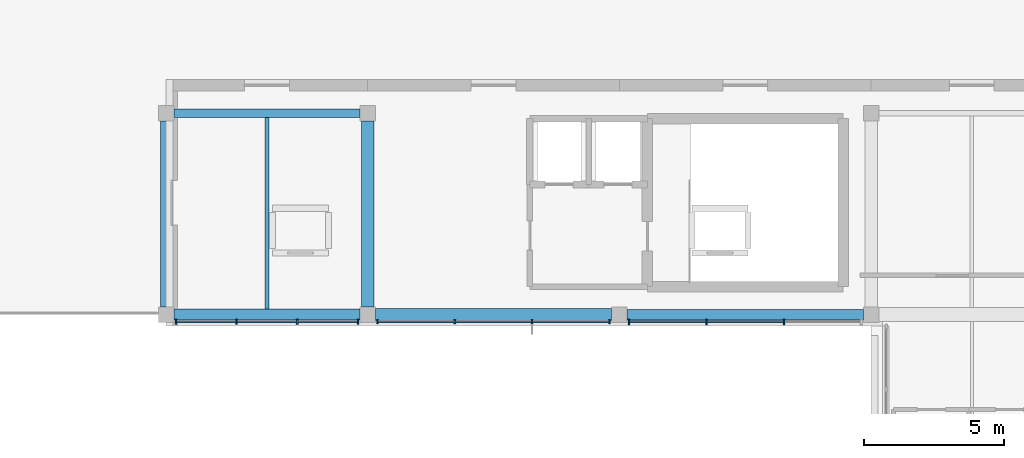
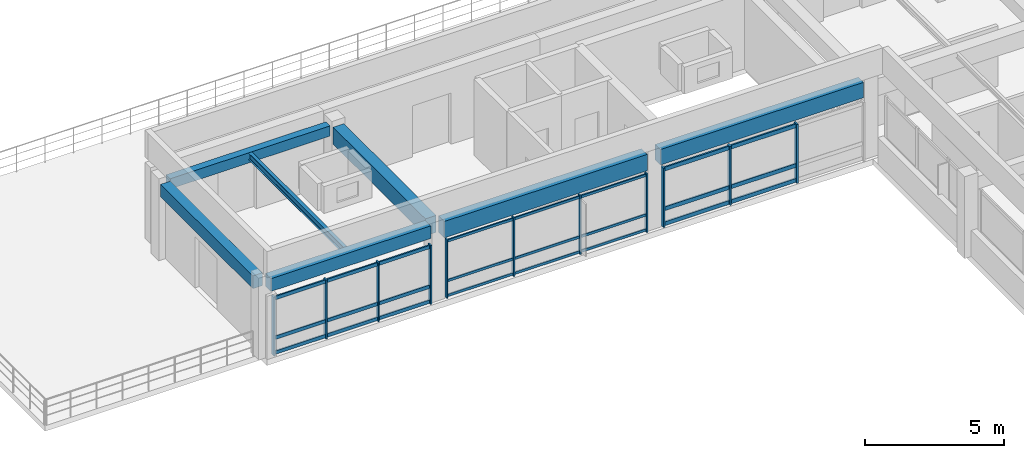
# One storey, part 2 of 10: 35 members, 7 beams, 3 elements without a shape of their own.
"""IFC4 building model written with IfcOpenShell, lengths in metres."""

from ifc_helpers import new_model, si_unit, direction, frame, origin, origin_2d, place, context, subcontext, project, spatial, rectangle, i_section, extrude, material, material_profile, profile_set, type_object, element, aggregate, save


model = new_model("IFC4")

# Units and contexts
model_context = context("Model", 3, precision=1e-05, world=origin(), true_north=direction((0.0, 1.0)))
body_context = subcontext(model_context, "Body", "Model", "MODEL_VIEW")
ifc_project = project(units=[si_unit("LENGTHUNIT", "METRE"), si_unit("AREAUNIT", "SQUARE_METRE"), si_unit("VOLUMEUNIT", "CUBIC_METRE"), si_unit("PLANEANGLEUNIT", "RADIAN"), si_unit("MASSUNIT", "GRAM", prefix="KILO")], contexts=[model_context])

# Site, building, storey
site_placement = place(None, origin())
site = spatial("IfcSite", under=ifc_project, at=site_placement, CompositionType="ELEMENT")
building_placement = place(site_placement, origin())
building = spatial("IfcBuilding", under=site, at=building_placement, Name="Clarverna Civic Hall", CompositionType="ELEMENT")
storey_placement = place(building_placement, frame((0.0, 0.0, 27.60009765625)))
storey = spatial("IfcBuildingStorey", under=building, at=storey_placement, Name="L07", CompositionType="ELEMENT", Elevation=27.60009765625)

# Beams
ifc_material_1 = material(Name="Concrete C35/45", Category="concrete")
ifc_material_profile_1 = material_profile(ifc_material_1, rectangle(XDim=0.300048828125, YDim=0.449951171875, at=origin_2d()), Name="RC 300x450")
ifc_profile_set_1 = profile_set([ifc_material_profile_1], Name="Concrete C35/45")
beam_type_1 = type_object("IfcBeamType", Name="B-RC18", PredefinedType="BEAM", material=ifc_profile_set_1)
beam_1_placement = place(storey_placement, frame((122.675048828125, 102.199951171875, 3.114990234375), z_axis=(1.0, 0.0, 0.0), x_axis=(0.0, 1.0, 0.0)))
element("IfcBeam", 1, at=beam_1_placement, inside=storey, type_object=beam_type_1, Name="B-RC18-045", PredefinedType="BEAM", context=body_context, shape_type="SweptSolid", body=[
    extrude(rectangle(XDim=0.300048828125, YDim=0.449951171875, at=origin_2d()), origin(), (0.0, 0.0, 1.0), 6.64990234375),
])
ifc_material_profile_2 = material_profile(ifc_material_1, rectangle(XDim=0.449951171875, YDim=0.75, at=origin_2d()), Name="RC 450x750")
ifc_profile_set_2 = profile_set([ifc_material_profile_2], Name="Concrete C35/45")
beam_type_2 = type_object("IfcBeamType", Name="B-RC3", PredefinedType="BEAM", material=ifc_profile_set_2)
beam_2_placement = place(storey_placement, frame((129.60009765625, 95.27490234375, 2.96484375), z_axis=(0.0, 1.0, 0.0), x_axis=(-1.0, 0.0, 0.0)))
element("IfcBeam", 2, at=beam_2_placement, inside=storey, type_object=beam_type_2, Name="B-RC3-042", PredefinedType="BEAM", context=body_context, shape_type="SweptSolid", body=[
    extrude(rectangle(XDim=0.449951171875, YDim=0.75, at=origin_2d()), origin(), (0.0, 0.0, 1.0), 6.650146484375),
])
ifc_material_profile_3 = material_profile(ifc_material_1, rectangle(XDim=0.419921875, YDim=0.719970703125, at=origin_2d()), Name="RC 420x720")
ifc_profile_set_3 = profile_set([ifc_material_profile_3], Name="Concrete C35/45")
beam_type_3 = type_object("IfcBeamType", Name="B-SP1", PredefinedType="SPANDREL", material=ifc_profile_set_3)
beam_3_placement = place(storey_placement, frame((129.875, 95.0, 2.97998046875), z_axis=(1.0, 0.0, 0.0), x_axis=(0.0, 1.0, 0.0)))
element("IfcBeam", 3, at=beam_3_placement, inside=storey, type_object=beam_type_3, Name="B-SP1-156", PredefinedType="SPANDREL", context=body_context, shape_type="SweptSolid", body=[
    extrude(rectangle(XDim=0.419921875, YDim=0.719970703125, at=origin_2d()), origin(), (0.0, 0.0, 1.0), 8.449951171875),
])
ifc_material_profile_4 = material_profile(ifc_material_1, rectangle(XDim=0.3798828125, YDim=0.679931640625, at=origin_2d()), Name="RC 380x680")
ifc_profile_set_4 = profile_set([ifc_material_profile_4], Name="Concrete C35/45")
beam_type_4 = type_object("IfcBeamType", Name="B-SP2", PredefinedType="SPANDREL", material=ifc_profile_set_4)
beam_4_placement = place(storey_placement, frame((138.875, 95.0, 3.0), z_axis=(1.0, 0.0, 0.0), x_axis=(0.0, 1.0, 0.0)))
element("IfcBeam", 4, at=beam_4_placement, inside=storey, type_object=beam_type_4, Name="B-SP2-162", PredefinedType="SPANDREL", context=body_context, shape_type="SweptSolid", body=[
    extrude(rectangle(XDim=0.3798828125, YDim=0.679931640625, at=origin_2d()), origin(), (0.0, 0.0, 1.0), 8.449951171875),
])
ifc_material_profile_5 = material_profile(ifc_material_1, rectangle(XDim=0.39990234375, YDim=0.56005859375, at=origin_2d()), Name="RC 400x560")
ifc_profile_set_5 = profile_set([ifc_material_profile_5], Name="Concrete C35/45")
beam_type_5 = type_object("IfcBeamType", Name="B-SP4", PredefinedType="SPANDREL", material=ifc_profile_set_5)
beam_5_placement = place(storey_placement, frame((122.675048828125, 95.0, 3.059814453125), z_axis=(1.0, 0.0, 0.0), x_axis=(0.0, 1.0, 0.0)))
element("IfcBeam", 5, at=beam_5_placement, inside=storey, type_object=beam_type_5, Name="B-SP4-159", PredefinedType="SPANDREL", context=body_context, shape_type="SweptSolid", body=[
    extrude(rectangle(XDim=0.39990234375, YDim=0.56005859375, at=origin_2d()), origin(), (0.0, 0.0, 1.0), 6.64990234375),
])
beam_6_placement = place(storey_placement, frame((122.39990234375, 95.27490234375, 3.059814453125), z_axis=(0.0, 1.0, 0.0), x_axis=(-1.0, 0.0, 0.0)))
element("IfcBeam", 6, at=beam_6_placement, inside=storey, type_object=beam_type_5, Name="B-SP4-160", PredefinedType="SPANDREL", context=body_context, shape_type="SweptSolid", body=[
    extrude(rectangle(XDim=0.39990234375, YDim=0.56005859375, at=origin_2d()), origin(), (0.0, 0.0, 1.0), 6.650146484375),
])

# Curtain wall, members
ifc_material_2 = material(Name="Anodised Bronze Architectural Aluminium", Category="aluminium")
curtain_wall_type = type_object("IfcCurtainWallType", Name="CW-01", PredefinedType="USERDEFINED", material=ifc_material_2)
curtain_wall_1_placement = place(storey_placement, origin())
curtain_wall_1 = element("IfcCurtainWall", 7, at=curtain_wall_1_placement, inside=storey, type_object=curtain_wall_type, Name="CW-01-135", ObjectType="UNITISED CURTAIN WALL", PredefinedType="USERDEFINED")
ifc_material_profile_6 = material_profile(ifc_material_2, rectangle(XDim=0.06005859375, YDim=0.179931640625, at=origin_2d()), Name="BRONZE 60x180")
ifc_profile_set_6 = profile_set([ifc_material_profile_6], Name="Anodised Bronze Architectural Aluminium")
member_type_1 = type_object("IfcMemberType", Name="CWM-01", PredefinedType="MULLION", material=ifc_profile_set_6)
member_1_placement = place(storey_placement, frame((129.251953125, 94.739990234375, 0.0), z_axis=(0.0, 0.0, 1.0), x_axis=(1.0, 0.0, 0.0)))
member_1 = element("IfcMember", 8, at=member_1_placement, type_object=member_type_1, Name="CWM-01-231", PredefinedType="MULLION", context=body_context, shape_type="SweptSolid", body=[
    extrude(rectangle(XDim=0.06005859375, YDim=0.179931640625, at=origin_2d()), origin(), (0.0, 0.0, 1.0), 2.58984375),
])
member_2_placement = place(storey_placement, frame((127.083984375, 94.739990234375, 0.0), z_axis=(0.0, 0.0, 1.0), x_axis=(1.0, 0.0, 0.0)))
member_2 = element("IfcMember", 9, at=member_2_placement, type_object=member_type_1, Name="CWM-01-232", PredefinedType="MULLION", context=body_context, shape_type="SweptSolid", body=[
    extrude(rectangle(XDim=0.06005859375, YDim=0.179931640625, at=origin_2d()), origin(), (0.0, 0.0, 1.0), 2.58984375),
])
member_3_placement = place(storey_placement, frame((124.916015625, 94.739990234375, 0.0), z_axis=(0.0, 0.0, 1.0), x_axis=(1.0, 0.0, 0.0)))
member_3 = element("IfcMember", 10, at=member_3_placement, type_object=member_type_1, Name="CWM-01-233", PredefinedType="MULLION", context=body_context, shape_type="SweptSolid", body=[
    extrude(rectangle(XDim=0.06005859375, YDim=0.179931640625, at=origin_2d()), origin(), (0.0, 0.0, 1.0), 2.58984375),
])
member_4_placement = place(storey_placement, frame((122.748046875, 94.739990234375, 0.0), z_axis=(0.0, 0.0, 1.0), x_axis=(1.0, 0.0, 0.0)))
member_4 = element("IfcMember", 11, at=member_4_placement, type_object=member_type_1, Name="CWM-01-234", PredefinedType="MULLION", context=body_context, shape_type="SweptSolid", body=[
    extrude(rectangle(XDim=0.06005859375, YDim=0.179931640625, at=origin_2d()), origin(), (0.0, 0.0, 1.0), 2.58984375),
])

curtain_wall_2_placement = place(storey_placement, origin())
curtain_wall_2 = element("IfcCurtainWall", 12, at=curtain_wall_2_placement, inside=storey, type_object=curtain_wall_type, Name="CW-01-133", ObjectType="UNITISED CURTAIN WALL", PredefinedType="USERDEFINED")
ifc_material_profile_7 = material_profile(ifc_material_2, rectangle(XDim=0.06494140625, YDim=0.199951171875, at=origin_2d()), Name="BRONZE 65x200")
ifc_profile_set_7 = profile_set([ifc_material_profile_7], Name="Anodised Bronze Architectural Aluminium")
member_type_2 = type_object("IfcMemberType", Name="CWM-03", PredefinedType="MULLION", material=ifc_profile_set_7)
member_5_placement = place(storey_placement, frame((144.48388671875, 94.739990234375, 0.0), z_axis=(0.0, 0.0, 1.0), x_axis=(1.0, 0.0, 0.0)))
member_5 = element("IfcMember", 13, at=member_5_placement, type_object=member_type_2, Name="CWM-03-234", PredefinedType="MULLION", context=body_context, shape_type="SweptSolid", body=[
    extrude(rectangle(XDim=0.06494140625, YDim=0.199951171875, at=origin_2d()), origin(), (0.0, 0.0, 1.0), 2.58984375),
])
member_6_placement = place(storey_placement, frame((141.716064453125, 94.739990234375, 0.0), z_axis=(0.0, 0.0, 1.0), x_axis=(1.0, 0.0, 0.0)))
member_6 = element("IfcMember", 14, at=member_6_placement, type_object=member_type_2, Name="CWM-03-235", PredefinedType="MULLION", context=body_context, shape_type="SweptSolid", body=[
    extrude(rectangle(XDim=0.06494140625, YDim=0.199951171875, at=origin_2d()), origin(), (0.0, 0.0, 1.0), 2.58984375),
])
member_7_placement = place(storey_placement, frame((138.947998046875, 94.739990234375, 0.0), z_axis=(0.0, 0.0, 1.0), x_axis=(1.0, 0.0, 0.0)))
member_7 = element("IfcMember", 15, at=member_7_placement, type_object=member_type_2, Name="CWM-03-236", PredefinedType="MULLION", context=body_context, shape_type="SweptSolid", body=[
    extrude(rectangle(XDim=0.06494140625, YDim=0.199951171875, at=origin_2d()), origin(), (0.0, 0.0, 1.0), 2.58984375),
])

curtain_wall_3_placement = place(storey_placement, origin())
curtain_wall_3 = element("IfcCurtainWall", 16, at=curtain_wall_3_placement, inside=storey, type_object=curtain_wall_type, Name="CW-01-134", ObjectType="UNITISED CURTAIN WALL", PredefinedType="USERDEFINED")
ifc_material_profile_8 = material_profile(ifc_material_2, rectangle(XDim=0.054931640625, YDim=0.139892578125, at=origin_2d()), Name="BRONZE 55x140")
ifc_profile_set_8 = profile_set([ifc_material_profile_8], Name="Anodised Bronze Architectural Aluminium")
member_type_3 = type_object("IfcMemberType", Name="CWM-04", PredefinedType="MULLION", material=ifc_profile_set_8)
member_8_placement = place(storey_placement, frame((138.251953125, 94.739990234375, 0.0), z_axis=(0.0, 0.0, 1.0), x_axis=(1.0, 0.0, 0.0)))
member_8 = element("IfcMember", 17, at=member_8_placement, type_object=member_type_3, Name="CWM-04-244", PredefinedType="MULLION", context=body_context, shape_type="SweptSolid", body=[
    extrude(rectangle(XDim=0.054931640625, YDim=0.139892578125, at=origin_2d()), origin(), (0.0, 0.0, 1.0), 2.58984375),
])
member_9_placement = place(storey_placement, frame((135.48388671875, 94.739990234375, 0.0), z_axis=(0.0, 0.0, 1.0), x_axis=(1.0, 0.0, 0.0)))
member_9 = element("IfcMember", 18, at=member_9_placement, type_object=member_type_3, Name="CWM-04-245", PredefinedType="MULLION", context=body_context, shape_type="SweptSolid", body=[
    extrude(rectangle(XDim=0.054931640625, YDim=0.139892578125, at=origin_2d()), origin(), (0.0, 0.0, 1.0), 2.58984375),
])
member_10_placement = place(storey_placement, frame((132.716064453125, 94.739990234375, 0.0), z_axis=(0.0, 0.0, 1.0), x_axis=(1.0, 0.0, 0.0)))
member_10 = element("IfcMember", 19, at=member_10_placement, type_object=member_type_3, Name="CWM-04-246", PredefinedType="MULLION", context=body_context, shape_type="SweptSolid", body=[
    extrude(rectangle(XDim=0.054931640625, YDim=0.139892578125, at=origin_2d()), origin(), (0.0, 0.0, 1.0), 2.58984375),
])
member_11_placement = place(storey_placement, frame((129.947998046875, 94.739990234375, 0.0), z_axis=(0.0, 0.0, 1.0), x_axis=(1.0, 0.0, 0.0)))
member_11 = element("IfcMember", 20, at=member_11_placement, type_object=member_type_3, Name="CWM-04-247", PredefinedType="MULLION", context=body_context, shape_type="SweptSolid", body=[
    extrude(rectangle(XDim=0.054931640625, YDim=0.139892578125, at=origin_2d()), origin(), (0.0, 0.0, 1.0), 2.58984375),
])

# Member
ifc_material_profile_9 = material_profile(ifc_material_2, rectangle(XDim=0.06005859375, YDim=0.14990234375, at=origin_2d()), Name="BRONZE 60x150")
ifc_profile_set_9 = profile_set([ifc_material_profile_9], Name="Anodised Bronze Architectural Aluminium")
member_type_4 = type_object("IfcMemberType", Name="CWT-01", PredefinedType="USERDEFINED", material=ifc_profile_set_9)
member_12_placement = place(storey_placement, frame((129.237060546875, 94.739990234375, 0.094970703125), z_axis=(-1.0, 0.0, 0.0), x_axis=(0.0, -1.0, 0.0)))
member_12 = element("IfcMember", 21, at=member_12_placement, type_object=member_type_4, Name="CWT-01-493", ObjectType="TRANSOM", PredefinedType="USERDEFINED", context=body_context, shape_type="SweptSolid", body=[
    extrude(rectangle(XDim=0.06005859375, YDim=0.14990234375, at=origin_2d()), origin(), (0.0, 0.0, 1.0), 2.137939453125),
])

member_13_placement = place(storey_placement, frame((129.237060546875, 94.739990234375, 0.75), z_axis=(-1.0, 0.0, 0.0), x_axis=(0.0, -1.0, 0.0)))
member_13 = element("IfcMember", 22, at=member_13_placement, type_object=member_type_4, Name="CWT-01-494", ObjectType="TRANSOM", PredefinedType="USERDEFINED", context=body_context, shape_type="SweptSolid", body=[
    extrude(rectangle(XDim=0.06005859375, YDim=0.14990234375, at=origin_2d()), origin(), (0.0, 0.0, 1.0), 2.137939453125),
])

member_14_placement = place(storey_placement, frame((129.237060546875, 94.739990234375, 2.494873046875), z_axis=(-1.0, 0.0, 0.0), x_axis=(0.0, -1.0, 0.0)))
member_14 = element("IfcMember", 23, at=member_14_placement, type_object=member_type_4, Name="CWT-01-495", ObjectType="TRANSOM", PredefinedType="USERDEFINED", context=body_context, shape_type="SweptSolid", body=[
    extrude(rectangle(XDim=0.06005859375, YDim=0.14990234375, at=origin_2d()), origin(), (0.0, 0.0, 1.0), 2.137939453125),
])

member_15_placement = place(storey_placement, frame((127.069091796875, 94.739990234375, 0.094970703125), z_axis=(-1.0, 0.0, 0.0), x_axis=(0.0, -1.0, 0.0)))
member_15 = element("IfcMember", 24, at=member_15_placement, type_object=member_type_4, Name="CWT-01-496", ObjectType="TRANSOM", PredefinedType="USERDEFINED", context=body_context, shape_type="SweptSolid", body=[
    extrude(rectangle(XDim=0.06005859375, YDim=0.14990234375, at=origin_2d()), origin(), (0.0, 0.0, 1.0), 2.13818359375),
])

member_16_placement = place(storey_placement, frame((127.069091796875, 94.739990234375, 0.75), z_axis=(-1.0, 0.0, 0.0), x_axis=(0.0, -1.0, 0.0)))
member_16 = element("IfcMember", 25, at=member_16_placement, type_object=member_type_4, Name="CWT-01-497", ObjectType="TRANSOM", PredefinedType="USERDEFINED", context=body_context, shape_type="SweptSolid", body=[
    extrude(rectangle(XDim=0.06005859375, YDim=0.14990234375, at=origin_2d()), origin(), (0.0, 0.0, 1.0), 2.13818359375),
])

member_17_placement = place(storey_placement, frame((127.069091796875, 94.739990234375, 2.494873046875), z_axis=(-1.0, 0.0, 0.0), x_axis=(0.0, -1.0, 0.0)))
member_17 = element("IfcMember", 26, at=member_17_placement, type_object=member_type_4, Name="CWT-01-498", ObjectType="TRANSOM", PredefinedType="USERDEFINED", context=body_context, shape_type="SweptSolid", body=[
    extrude(rectangle(XDim=0.06005859375, YDim=0.14990234375, at=origin_2d()), origin(), (0.0, 0.0, 1.0), 2.13818359375),
])

member_18_placement = place(storey_placement, frame((124.90087890625, 94.739990234375, 0.094970703125), z_axis=(-1.0, 0.0, 0.0), x_axis=(0.0, -1.0, 0.0)))
member_18 = element("IfcMember", 27, at=member_18_placement, type_object=member_type_4, Name="CWT-01-499", ObjectType="TRANSOM", PredefinedType="USERDEFINED", context=body_context, shape_type="SweptSolid", body=[
    extrude(rectangle(XDim=0.06005859375, YDim=0.14990234375, at=origin_2d()), origin(), (0.0, 0.0, 1.0), 2.137939453125),
])

member_19_placement = place(storey_placement, frame((124.90087890625, 94.739990234375, 0.75), z_axis=(-1.0, 0.0, 0.0), x_axis=(0.0, -1.0, 0.0)))
member_19 = element("IfcMember", 28, at=member_19_placement, type_object=member_type_4, Name="CWT-01-500", ObjectType="TRANSOM", PredefinedType="USERDEFINED", context=body_context, shape_type="SweptSolid", body=[
    extrude(rectangle(XDim=0.06005859375, YDim=0.14990234375, at=origin_2d()), origin(), (0.0, 0.0, 1.0), 2.137939453125),
])

member_20_placement = place(storey_placement, frame((124.90087890625, 94.739990234375, 2.494873046875), z_axis=(-1.0, 0.0, 0.0), x_axis=(0.0, -1.0, 0.0)))
member_20 = element("IfcMember", 29, at=member_20_placement, type_object=member_type_4, Name="CWT-01-501", ObjectType="TRANSOM", PredefinedType="USERDEFINED", context=body_context, shape_type="SweptSolid", body=[
    extrude(rectangle(XDim=0.06005859375, YDim=0.14990234375, at=origin_2d()), origin(), (0.0, 0.0, 1.0), 2.137939453125),
])

aggregate(curtain_wall_1, [member_1, member_2, member_3, member_4, member_12, member_13, member_14, member_15, member_16, member_17, member_18, member_19, member_20])

ifc_material_profile_10 = material_profile(ifc_material_2, rectangle(XDim=0.06494140625, YDim=0.169921875, at=origin_2d()), Name="BRONZE 65x170")
ifc_profile_set_10 = profile_set([ifc_material_profile_10], Name="Anodised Bronze Architectural Aluminium")
member_type_5 = type_object("IfcMemberType", Name="CWT-03", PredefinedType="USERDEFINED", material=ifc_profile_set_10)
member_21_placement = place(storey_placement, frame((144.468994140625, 94.739990234375, 0.094970703125), z_axis=(-1.0, 0.0, 0.0), x_axis=(0.0, -1.0, 0.0)))
member_21 = element("IfcMember", 30, at=member_21_placement, type_object=member_type_5, Name="CWT-03-499", ObjectType="TRANSOM", PredefinedType="USERDEFINED", context=body_context, shape_type="SweptSolid", body=[
    extrude(rectangle(XDim=0.06494140625, YDim=0.169921875, at=origin_2d()), origin(), (0.0, 0.0, 1.0), 2.738037109375),
])

member_22_placement = place(storey_placement, frame((144.468994140625, 94.739990234375, 0.75), z_axis=(-1.0, 0.0, 0.0), x_axis=(0.0, -1.0, 0.0)))
member_22 = element("IfcMember", 31, at=member_22_placement, type_object=member_type_5, Name="CWT-03-500", ObjectType="TRANSOM", PredefinedType="USERDEFINED", context=body_context, shape_type="SweptSolid", body=[
    extrude(rectangle(XDim=0.06494140625, YDim=0.169921875, at=origin_2d()), origin(), (0.0, 0.0, 1.0), 2.738037109375),
])

member_23_placement = place(storey_placement, frame((144.468994140625, 94.739990234375, 2.494873046875), z_axis=(-1.0, 0.0, 0.0), x_axis=(0.0, -1.0, 0.0)))
member_23 = element("IfcMember", 32, at=member_23_placement, type_object=member_type_5, Name="CWT-03-501", ObjectType="TRANSOM", PredefinedType="USERDEFINED", context=body_context, shape_type="SweptSolid", body=[
    extrude(rectangle(XDim=0.06494140625, YDim=0.169921875, at=origin_2d()), origin(), (0.0, 0.0, 1.0), 2.738037109375),
])

member_24_placement = place(storey_placement, frame((141.700927734375, 94.739990234375, 0.094970703125), z_axis=(-1.0, 0.0, 0.0), x_axis=(0.0, -1.0, 0.0)))
member_24 = element("IfcMember", 33, at=member_24_placement, type_object=member_type_5, Name="CWT-03-502", ObjectType="TRANSOM", PredefinedType="USERDEFINED", context=body_context, shape_type="SweptSolid", body=[
    extrude(rectangle(XDim=0.06494140625, YDim=0.169921875, at=origin_2d()), origin(), (0.0, 0.0, 1.0), 2.738037109375),
])

member_25_placement = place(storey_placement, frame((141.700927734375, 94.739990234375, 0.75), z_axis=(-1.0, 0.0, 0.0), x_axis=(0.0, -1.0, 0.0)))
member_25 = element("IfcMember", 34, at=member_25_placement, type_object=member_type_5, Name="CWT-03-503", ObjectType="TRANSOM", PredefinedType="USERDEFINED", context=body_context, shape_type="SweptSolid", body=[
    extrude(rectangle(XDim=0.06494140625, YDim=0.169921875, at=origin_2d()), origin(), (0.0, 0.0, 1.0), 2.738037109375),
])

member_26_placement = place(storey_placement, frame((141.700927734375, 94.739990234375, 2.494873046875), z_axis=(-1.0, 0.0, 0.0), x_axis=(0.0, -1.0, 0.0)))
member_26 = element("IfcMember", 35, at=member_26_placement, type_object=member_type_5, Name="CWT-03-504", ObjectType="TRANSOM", PredefinedType="USERDEFINED", context=body_context, shape_type="SweptSolid", body=[
    extrude(rectangle(XDim=0.06494140625, YDim=0.169921875, at=origin_2d()), origin(), (0.0, 0.0, 1.0), 2.738037109375),
])

aggregate(curtain_wall_2, [member_5, member_6, member_7, member_21, member_22, member_23, member_24, member_25, member_26])

ifc_material_profile_11 = material_profile(ifc_material_2, rectangle(XDim=0.054931640625, YDim=0.110107421875, at=origin_2d()), Name="BRONZE 55x110")
ifc_profile_set_11 = profile_set([ifc_material_profile_11], Name="Anodised Bronze Architectural Aluminium")
member_type_6 = type_object("IfcMemberType", Name="CWT-04", PredefinedType="USERDEFINED", material=ifc_profile_set_11)
member_27_placement = place(storey_placement, frame((138.237060546875, 94.739990234375, 0.094970703125), z_axis=(-1.0, 0.0, 0.0), x_axis=(0.0, -1.0, 0.0)))
member_27 = element("IfcMember", 36, at=member_27_placement, type_object=member_type_6, Name="CWT-04-520", ObjectType="TRANSOM", PredefinedType="USERDEFINED", context=body_context, shape_type="SweptSolid", body=[
    extrude(rectangle(XDim=0.054931640625, YDim=0.110107421875, at=origin_2d()), origin(), (0.0, 0.0, 1.0), 2.738037109375),
])

member_28_placement = place(storey_placement, frame((138.237060546875, 94.739990234375, 0.75), z_axis=(-1.0, 0.0, 0.0), x_axis=(0.0, -1.0, 0.0)))
member_28 = element("IfcMember", 37, at=member_28_placement, type_object=member_type_6, Name="CWT-04-521", ObjectType="TRANSOM", PredefinedType="USERDEFINED", context=body_context, shape_type="SweptSolid", body=[
    extrude(rectangle(XDim=0.054931640625, YDim=0.110107421875, at=origin_2d()), origin(), (0.0, 0.0, 1.0), 2.738037109375),
])

member_29_placement = place(storey_placement, frame((138.237060546875, 94.739990234375, 2.494873046875), z_axis=(-1.0, 0.0, 0.0), x_axis=(0.0, -1.0, 0.0)))
member_29 = element("IfcMember", 38, at=member_29_placement, type_object=member_type_6, Name="CWT-04-522", ObjectType="TRANSOM", PredefinedType="USERDEFINED", context=body_context, shape_type="SweptSolid", body=[
    extrude(rectangle(XDim=0.054931640625, YDim=0.110107421875, at=origin_2d()), origin(), (0.0, 0.0, 1.0), 2.738037109375),
])

member_30_placement = place(storey_placement, frame((135.468994140625, 94.739990234375, 0.094970703125), z_axis=(-1.0, 0.0, 0.0), x_axis=(0.0, -1.0, 0.0)))
member_30 = element("IfcMember", 39, at=member_30_placement, type_object=member_type_6, Name="CWT-04-523", ObjectType="TRANSOM", PredefinedType="USERDEFINED", context=body_context, shape_type="SweptSolid", body=[
    extrude(rectangle(XDim=0.054931640625, YDim=0.110107421875, at=origin_2d()), origin(), (0.0, 0.0, 1.0), 2.738037109375),
])

member_31_placement = place(storey_placement, frame((135.468994140625, 94.739990234375, 0.75), z_axis=(-1.0, 0.0, 0.0), x_axis=(0.0, -1.0, 0.0)))
member_31 = element("IfcMember", 40, at=member_31_placement, type_object=member_type_6, Name="CWT-04-524", ObjectType="TRANSOM", PredefinedType="USERDEFINED", context=body_context, shape_type="SweptSolid", body=[
    extrude(rectangle(XDim=0.054931640625, YDim=0.110107421875, at=origin_2d()), origin(), (0.0, 0.0, 1.0), 2.738037109375),
])

member_32_placement = place(storey_placement, frame((135.468994140625, 94.739990234375, 2.494873046875), z_axis=(-1.0, 0.0, 0.0), x_axis=(0.0, -1.0, 0.0)))
member_32 = element("IfcMember", 41, at=member_32_placement, type_object=member_type_6, Name="CWT-04-525", ObjectType="TRANSOM", PredefinedType="USERDEFINED", context=body_context, shape_type="SweptSolid", body=[
    extrude(rectangle(XDim=0.054931640625, YDim=0.110107421875, at=origin_2d()), origin(), (0.0, 0.0, 1.0), 2.738037109375),
])

member_33_placement = place(storey_placement, frame((132.700927734375, 94.739990234375, 0.094970703125), z_axis=(-1.0, 0.0, 0.0), x_axis=(0.0, -1.0, 0.0)))
member_33 = element("IfcMember", 42, at=member_33_placement, type_object=member_type_6, Name="CWT-04-526", ObjectType="TRANSOM", PredefinedType="USERDEFINED", context=body_context, shape_type="SweptSolid", body=[
    extrude(rectangle(XDim=0.054931640625, YDim=0.110107421875, at=origin_2d()), origin(), (0.0, 0.0, 1.0), 2.738037109375),
])

member_34_placement = place(storey_placement, frame((132.700927734375, 94.739990234375, 0.75), z_axis=(-1.0, 0.0, 0.0), x_axis=(0.0, -1.0, 0.0)))
member_34 = element("IfcMember", 43, at=member_34_placement, type_object=member_type_6, Name="CWT-04-527", ObjectType="TRANSOM", PredefinedType="USERDEFINED", context=body_context, shape_type="SweptSolid", body=[
    extrude(rectangle(XDim=0.054931640625, YDim=0.110107421875, at=origin_2d()), origin(), (0.0, 0.0, 1.0), 2.738037109375),
])

member_35_placement = place(storey_placement, frame((132.700927734375, 94.739990234375, 2.494873046875), z_axis=(-1.0, 0.0, 0.0), x_axis=(0.0, -1.0, 0.0)))
member_35 = element("IfcMember", 44, at=member_35_placement, type_object=member_type_6, Name="CWT-04-528", ObjectType="TRANSOM", PredefinedType="USERDEFINED", context=body_context, shape_type="SweptSolid", body=[
    extrude(rectangle(XDim=0.054931640625, YDim=0.110107421875, at=origin_2d()), origin(), (0.0, 0.0, 1.0), 2.738037109375),
])

aggregate(curtain_wall_3, [member_8, member_9, member_10, member_11, member_27, member_28, member_29, member_30, member_31, member_32, member_33, member_34, member_35])

# Beam
ifc_material_3 = material(Name="Steel S355", Category="steel")
ifc_material_profile_12 = material_profile(ifc_material_3, i_section(OverallWidth=0.14990234375, OverallDepth=0.300048828125, WebThickness=0.007080078125, FlangeThickness=0.0107421875, FilletRadius=0.014892578125, at=origin_2d()), Name="IPE 300")
ifc_profile_set_12 = profile_set([ifc_material_profile_12], Name="Steel S355")
beam_type_6 = type_object("IfcBeamType", Name="J-ST3", PredefinedType="JOIST", material=ifc_profile_set_12)
beam_7_placement = place(storey_placement, frame((126.0, 95.199951171875, 3.18994140625), z_axis=(0.0, 1.0, 0.0), x_axis=(-1.0, 0.0, 0.0)))
element("IfcBeam", 45, at=beam_7_placement, inside=storey, type_object=beam_type_6, Name="J-ST3-074", PredefinedType="JOIST", context=body_context, shape_type="SweptSolid", body=[
    extrude(i_section(OverallWidth=0.14990234375, OverallDepth=0.300048828125, WebThickness=0.007080078125, FlangeThickness=0.0107421875, FilletRadius=0.014892578125, at=origin_2d()), origin(), (0.0, 0.0, 1.0), 6.85009765625),
])

save(model, "model.ifc")
